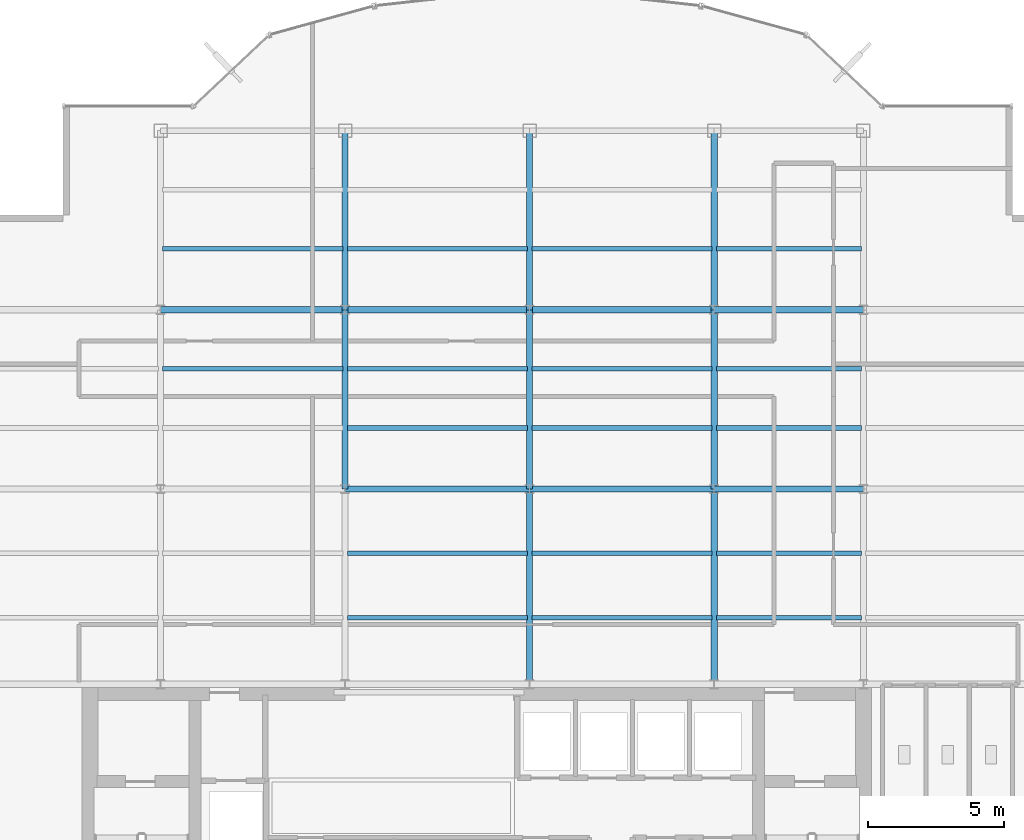
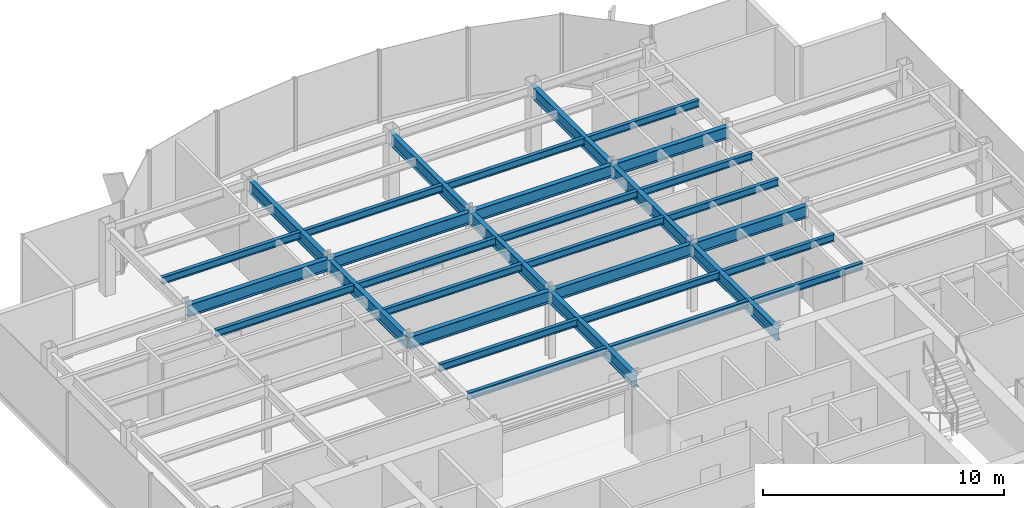
# One storey, part 8 of 22: 32 beams.
"""IFC4 building model written with IfcOpenShell, lengths in metres."""

from ifc_helpers import new_model, si_unit, derived_unit, direction, frame, origin, origin_2d, place, context, subcontext, project, spatial, i_section, extrude, source, transform, mapped, material, material_profile, profile_set, type_object, element, save


model = new_model("IFC4")

# Units and contexts
model_context = context("Model", 3, precision=1e-05, world=origin(), true_north=direction((0.0, 1.0)))
body_context = subcontext(model_context, "Body", "Model", "MODEL_VIEW")
ifc_project = project(units=[si_unit("LENGTHUNIT", "METRE"), si_unit("AREAUNIT", "SQUARE_METRE"), si_unit("VOLUMEUNIT", "CUBIC_METRE"), si_unit("PLANEANGLEUNIT", "RADIAN"), si_unit("MASSUNIT", "GRAM", prefix="KILO"), derived_unit("THERMALTRANSMITTANCEUNIT", [(si_unit("POWERUNIT", "WATT"), 1), (si_unit("LENGTHUNIT", "METRE"), -2), (si_unit("THERMODYNAMICTEMPERATUREUNIT", "KELVIN"), -1)])], contexts=[model_context])

# Site, building, storey
site_placement = place(None, origin())
site = spatial("IfcSite", under=ifc_project, at=site_placement, CompositionType="ELEMENT")
building_placement = place(site_placement, origin())
building = spatial("IfcBuilding", under=site, at=building_placement, Name="Skarnbrae Concourse Arena and Tower", CompositionType="ELEMENT")
storey_placement = place(building_placement, frame((0.0, 0.0, 199.550048828125)))
storey = spatial("IfcBuildingStorey", under=building, at=storey_placement, Name="L51", CompositionType="ELEMENT", Elevation=199.550048828125)

# Beams
ifc_material = material(Name="Steel CSA G40.21 350W", Category="steel")
ifc_material_profile_1 = material_profile(ifc_material, i_section(OverallWidth=0.22802734375, OverallDepth=0.60791015625, WebThickness=0.01123046875, FlangeThickness=0.017333984375, at=origin_2d()), Name="W610X113")
ifc_profile_set_1 = profile_set([ifc_material_profile_1], Name="Steel CSA G40.21 350W")
beam_type_1 = type_object("IfcBeamType", Name="BM-GIRD-W610X113", PredefinedType="BEAM", material=ifc_profile_set_1)
shared_shape_1 = source(origin(), body_context, "Body", "SweptSolid", [
    extrude(i_section(OverallWidth=0.22802734375, OverallDepth=0.60791015625, WebThickness=0.01123046875, FlangeThickness=0.017333984375, at=origin_2d()), origin(), (0.0, 0.0, 1.0), 6.60009765625),
])
for number, where, z_axis, x_axis, name in (
    (1, (14.39990234375, 21.199951171875, 3.095947265625), (0.0, 1.0, 0.0), (-1.0, 0.0, 0.0), "L51 Primary N-S girder X14.4-2"),
    (2, (21.199951171875, 21.199951171875, 3.095947265625), (0.0, 1.0, 0.0), (-1.0, 0.0, 0.0), "L51 Primary N-S girder X21.2-2"),
    (3, (28.0, 21.199951171875, 3.095947265625), (0.0, 1.0, 0.0), (-1.0, 0.0, 0.0), "L51 Primary N-S girder X28.0-2"),
):
    element("IfcBeam", number, at=place(storey_placement, frame(where, z_axis=z_axis, x_axis=x_axis)), inside=storey, type_object=beam_type_1, Name=name, PredefinedType="BEAM", context=body_context, shape_type="MappedRepresentation", body=[
        mapped(shared_shape_1, transform((0.0, 0.0, 0.0))),
    ])
shared_shape_2 = source(origin(), body_context, "Body", "SweptSolid", [
    extrude(i_section(OverallWidth=0.22802734375, OverallDepth=0.60791015625, WebThickness=0.01123046875, FlangeThickness=0.017333984375, at=origin_2d()), origin(), (0.0, 0.0, 1.0), 6.7998046875),
])
beam_placement = place(storey_placement, frame((7.60009765625, 27.800048828125, 3.095947265625), z_axis=(1.0, 0.0, 0.0), x_axis=(0.0, 1.0, 0.0)))
element("IfcBeam", 4, at=beam_placement, inside=storey, type_object=beam_type_1, Name="L51 Primary E-W girder Y27.8-2", PredefinedType="BEAM", context=body_context, shape_type="MappedRepresentation", body=[
    mapped(shared_shape_2, transform((0.0, 0.0, 0.0))),
])
shared_shape_3 = source(origin(), body_context, "Body", "SweptSolid", [
    extrude(i_section(OverallWidth=0.22802734375, OverallDepth=0.60791015625, WebThickness=0.01123046875, FlangeThickness=0.017333984375, at=origin_2d()), origin(), (0.0, 0.0, 1.0), 6.800048828125),
])
for number, where, z_axis, x_axis, name in (
    (5, (14.39990234375, 21.199951171875, 3.095947265625), (1.0, 0.0, 0.0), (0.0, 1.0, 0.0), "L51 Primary E-W girder Y21.2-3"),
    (6, (21.199951171875, 21.199951171875, 3.095947265625), (1.0, 0.0, 0.0), (0.0, 1.0, 0.0), "L51 Primary E-W girder Y21.2-4"),
    (7, (14.39990234375, 27.800048828125, 3.095947265625), (1.0, 0.0, 0.0), (0.0, 1.0, 0.0), "L51 Primary E-W girder Y27.8-3"),
    (8, (21.199951171875, 27.800048828125, 3.095947265625), (1.0, 0.0, 0.0), (0.0, 1.0, 0.0), "L51 Primary E-W girder Y27.8-4"),
):
    element("IfcBeam", number, at=place(storey_placement, frame(where, z_axis=z_axis, x_axis=x_axis)), inside=storey, type_object=beam_type_1, Name=name, PredefinedType="BEAM", context=body_context, shape_type="MappedRepresentation", body=[
        mapped(shared_shape_3, transform((0.0, 0.0, 0.0))),
    ])
shared_shape_4 = source(origin(), body_context, "Body", "SweptSolid", [
    extrude(i_section(OverallWidth=0.22802734375, OverallDepth=0.60791015625, WebThickness=0.01123046875, FlangeThickness=0.017333984375, at=origin_2d()), origin(), (0.0, 0.0, 1.0), 5.5),
])
for number, where, z_axis, x_axis, name in (
    (9, (28.0, 21.199951171875, 3.095947265625), (1.0, 0.0, 0.0), (0.0, 1.0, 0.0), "L51 Primary E-W girder Y21.2-5"),
    (10, (28.0, 27.800048828125, 3.095947265625), (1.0, 0.0, 0.0), (0.0, 1.0, 0.0), "L51 Primary E-W girder Y27.8-5"),
):
    element("IfcBeam", number, at=place(storey_placement, frame(where, z_axis=z_axis, x_axis=x_axis)), inside=storey, type_object=beam_type_1, Name=name, PredefinedType="BEAM", context=body_context, shape_type="MappedRepresentation", body=[
        mapped(shared_shape_4, transform((0.0, 0.0, 0.0))),
    ])
shared_shape_5 = source(origin(), body_context, "Body", "SweptSolid", [
    extrude(i_section(OverallWidth=0.22802734375, OverallDepth=0.60791015625, WebThickness=0.01123046875, FlangeThickness=0.017333984375, at=origin_2d()), origin(), (0.0, 0.0, 1.0), 7.199951171875),
])
for number, where, z_axis, x_axis, name in (
    (11, (21.199951171875, 14.0, 3.095947265625), (0.0, 1.0, 0.0), (-1.0, 0.0, 0.0), "L51 Primary N-S girder X21.2-1"),
    (12, (28.0, 14.0, 3.095947265625), (0.0, 1.0, 0.0), (-1.0, 0.0, 0.0), "L51 Primary N-S girder X28.0-1"),
):
    element("IfcBeam", number, at=place(storey_placement, frame(where, z_axis=z_axis, x_axis=x_axis)), inside=storey, type_object=beam_type_1, Name=name, PredefinedType="BEAM", context=body_context, shape_type="MappedRepresentation", body=[
        mapped(shared_shape_5, transform((0.0, 0.0, 0.0))),
    ])
shared_shape_6 = source(origin(), body_context, "Body", "SweptSolid", [
    extrude(i_section(OverallWidth=0.22802734375, OverallDepth=0.60791015625, WebThickness=0.01123046875, FlangeThickness=0.017333984375, at=origin_2d()), origin(), (0.0, 0.0, 1.0), 6.599853515625),
])
for number, where, z_axis, x_axis, name in (
    (13, (14.39990234375, 27.800048828125, 3.095947265625), (0.0, 1.0, 0.0), (-1.0, 0.0, 0.0), "L51 Primary N-S girder X14.4-3"),
    (14, (21.199951171875, 27.800048828125, 3.095947265625), (0.0, 1.0, 0.0), (-1.0, 0.0, 0.0), "L51 Primary N-S girder X21.2-3"),
    (15, (28.0, 27.800048828125, 3.095947265625), (0.0, 1.0, 0.0), (-1.0, 0.0, 0.0), "L51 Primary N-S girder X28.0-3"),
):
    element("IfcBeam", number, at=place(storey_placement, frame(where, z_axis=z_axis, x_axis=x_axis)), inside=storey, type_object=beam_type_1, Name=name, PredefinedType="BEAM", context=body_context, shape_type="MappedRepresentation", body=[
        mapped(shared_shape_6, transform((0.0, 0.0, 0.0))),
    ])
ifc_material_profile_2 = material_profile(ifc_material, i_section(OverallWidth=0.1708984375, OverallDepth=0.35498046875, WebThickness=0.007080078125, FlangeThickness=0.01171875, at=origin_2d()), Name="W360X51")
ifc_profile_set_2 = profile_set([ifc_material_profile_2], Name="Steel CSA G40.21 350W")
beam_type_2 = type_object("IfcBeamType", Name="BM-JOIST-W360X51", PredefinedType="JOIST", material=ifc_profile_set_2)
shared_shape_7 = source(origin(), body_context, "Body", "SweptSolid", [
    extrude(i_section(OverallWidth=0.1708984375, OverallDepth=0.35498046875, WebThickness=0.007080078125, FlangeThickness=0.01171875, at=origin_2d()), origin(), (0.0, 0.0, 1.0), 6.64013671875),
])
for number, where, z_axis, x_axis, name in (
    (16, (14.47998046875, 16.447998046875, 3.222412109375), (1.0, 0.0, 0.0), (0.0, 1.0, 0.0), "L51 Secondary floor joist 1.1.3"),
    (17, (14.47998046875, 18.823974609375, 3.222412109375), (1.0, 0.0, 0.0), (0.0, 1.0, 0.0), "L51 Secondary floor joist 1.2.3"),
    (18, (14.47998046875, 23.444091796875, 3.222412109375), (1.0, 0.0, 0.0), (0.0, 1.0, 0.0), "L51 Secondary floor joist 2.1.3"),
    (19, (7.679931640625, 25.6220703125, 3.222412109375), (1.0, 0.0, 0.0), (0.0, 1.0, 0.0), "L51 Secondary floor joist 2.2.2"),
    (20, (14.47998046875, 25.6220703125, 3.222412109375), (1.0, 0.0, 0.0), (0.0, 1.0, 0.0), "L51 Secondary floor joist 2.2.3"),
    (21, (7.679931640625, 30.0439453125, 3.222412109375), (1.0, 0.0, 0.0), (0.0, 1.0, 0.0), "L51 Secondary floor joist 3.1.1"),
    (22, (14.47998046875, 30.0439453125, 3.222412109375), (1.0, 0.0, 0.0), (0.0, 1.0, 0.0), "L51 Secondary floor joist 3.1.2"),
):
    element("IfcBeam", number, at=place(storey_placement, frame(where, z_axis=z_axis, x_axis=x_axis)), inside=storey, type_object=beam_type_2, Name=name, PredefinedType="JOIST", context=body_context, shape_type="MappedRepresentation", body=[
        mapped(shared_shape_7, transform((0.0, 0.0, 0.0))),
    ])
shared_shape_8 = source(origin(), body_context, "Body", "SweptSolid", [
    extrude(i_section(OverallWidth=0.1708984375, OverallDepth=0.35498046875, WebThickness=0.007080078125, FlangeThickness=0.01171875, at=origin_2d()), origin(), (0.0, 0.0, 1.0), 6.639892578125),
])
for number, where, z_axis, x_axis, name in (
    (23, (21.280029296875, 16.447998046875, 3.222412109375), (1.0, 0.0, 0.0), (0.0, 1.0, 0.0), "L51 Secondary floor joist 1.1.4"),
    (24, (21.280029296875, 18.823974609375, 3.222412109375), (1.0, 0.0, 0.0), (0.0, 1.0, 0.0), "L51 Secondary floor joist 1.2.4"),
    (25, (21.280029296875, 23.444091796875, 3.222412109375), (1.0, 0.0, 0.0), (0.0, 1.0, 0.0), "L51 Secondary floor joist 2.1.4"),
    (26, (21.280029296875, 25.6220703125, 3.222412109375), (1.0, 0.0, 0.0), (0.0, 1.0, 0.0), "L51 Secondary floor joist 2.2.4"),
    (27, (21.280029296875, 30.0439453125, 3.222412109375), (1.0, 0.0, 0.0), (0.0, 1.0, 0.0), "L51 Secondary floor joist 3.1.3"),
):
    element("IfcBeam", number, at=place(storey_placement, frame(where, z_axis=z_axis, x_axis=x_axis)), inside=storey, type_object=beam_type_2, Name=name, PredefinedType="JOIST", context=body_context, shape_type="MappedRepresentation", body=[
        mapped(shared_shape_8, transform((0.0, 0.0, 0.0))),
    ])
shared_shape_9 = source(origin(), body_context, "Body", "SweptSolid", [
    extrude(i_section(OverallWidth=0.1708984375, OverallDepth=0.35498046875, WebThickness=0.007080078125, FlangeThickness=0.01171875, at=origin_2d()), origin(), (0.0, 0.0, 1.0), 5.33984375),
])
for number, where, z_axis, x_axis, name in (
    (28, (28.080078125, 16.447998046875, 3.222412109375), (1.0, 0.0, 0.0), (0.0, 1.0, 0.0), "L51 Secondary floor joist 1.1.5"),
    (29, (28.080078125, 18.823974609375, 3.222412109375), (1.0, 0.0, 0.0), (0.0, 1.0, 0.0), "L51 Secondary floor joist 1.2.5"),
    (30, (28.080078125, 23.444091796875, 3.222412109375), (1.0, 0.0, 0.0), (0.0, 1.0, 0.0), "L51 Secondary floor joist 2.1.5"),
    (31, (28.080078125, 25.6220703125, 3.222412109375), (1.0, 0.0, 0.0), (0.0, 1.0, 0.0), "L51 Secondary floor joist 2.2.5"),
    (32, (28.080078125, 30.0439453125, 3.222412109375), (1.0, 0.0, 0.0), (0.0, 1.0, 0.0), "L51 Secondary floor joist 3.1.4"),
):
    element("IfcBeam", number, at=place(storey_placement, frame(where, z_axis=z_axis, x_axis=x_axis)), inside=storey, type_object=beam_type_2, Name=name, PredefinedType="JOIST", context=body_context, shape_type="MappedRepresentation", body=[
        mapped(shared_shape_9, transform((0.0, 0.0, 0.0))),
    ])

save(model, "model.ifc")
